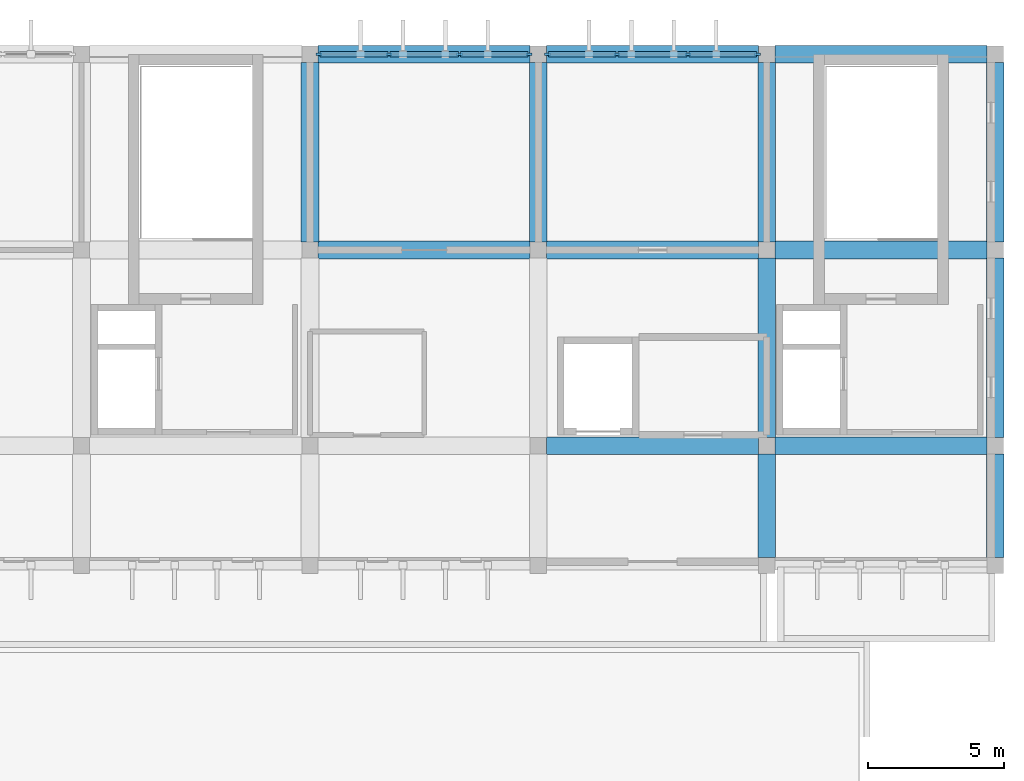
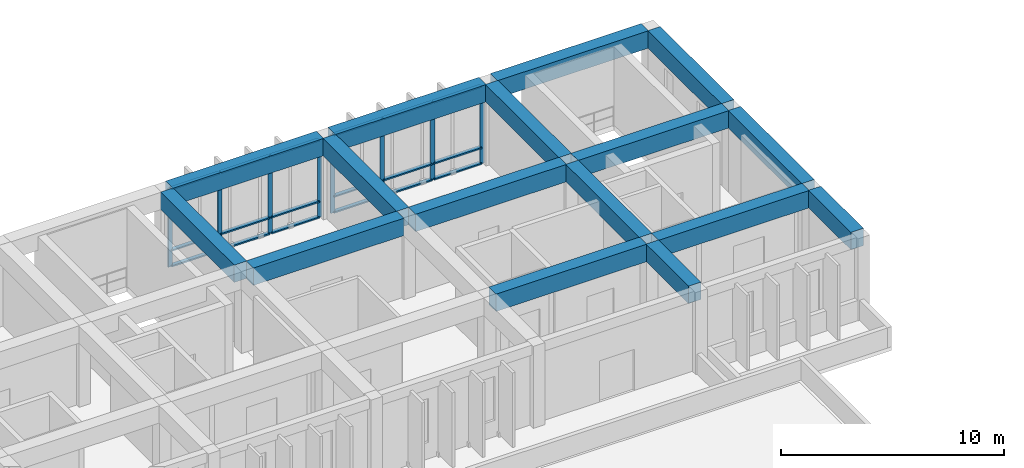
# One storey, part 9 of 16: 26 members, 16 beams, 2 elements without a shape of their own.
"""IFC4 building model written with IfcOpenShell, lengths in metres."""

from ifc_helpers import new_model, si_unit, direction, frame, origin, origin_2d, place, context, subcontext, project, spatial, rectangle, extrude, material, material_profile, profile_set, type_object, element, aggregate, save


model = new_model("IFC4")

# Units and contexts
model_context = context("Model", 3, precision=1e-05, world=origin(), true_north=direction((0.0, 1.0)))
body_context = subcontext(model_context, "Body", "Model", "MODEL_VIEW")
ifc_project = project(units=[si_unit("LENGTHUNIT", "METRE"), si_unit("AREAUNIT", "SQUARE_METRE"), si_unit("VOLUMEUNIT", "CUBIC_METRE"), si_unit("PLANEANGLEUNIT", "RADIAN"), si_unit("MASSUNIT", "GRAM", prefix="KILO")], contexts=[model_context])

# Site, building, storey
site_placement = place(None, origin())
site = spatial("IfcSite", under=ifc_project, at=site_placement, CompositionType="ELEMENT")
building_placement = place(site_placement, origin())
building = spatial("IfcBuilding", under=site, at=building_placement, Name="Kenerak Square Central Library", CompositionType="ELEMENT")
storey_placement = place(building_placement, frame((0.0, 0.0, 27.840087890625)))
storey = spatial("IfcBuildingStorey", under=building, at=storey_placement, Name="L06", CompositionType="ELEMENT", Elevation=27.840087890625)

# Beams
ifc_material_1 = material(Name="Concrete C45/55", Category="concrete")
ifc_material_profile_1 = material_profile(ifc_material_1, rectangle(XDim=0.64990234375, YDim=0.949951171875, at=origin_2d()), Name="RC 650x950")
ifc_profile_set_1 = profile_set([ifc_material_profile_1], Name="Concrete C45/55")
beam_type = type_object("IfcBeamType", Name="Book Stack Girder B-02 RC 650x950 C45/55", PredefinedType="BEAM", material=ifc_profile_set_1)
for number, where, z_axis, x_axis, name in (
    (1, (92.0, 103.5, 4.0048828125), (0.0, 1.0, 0.0), (-1.0, 0.0, 0.0), "Roof Girder B-02 L06 11-103"),
    (2, (100.39990234375, 103.5, 4.0048828125), (0.0, 1.0, 0.0), (-1.0, 0.0, 0.0), "Roof Girder B-02 L06 12-103"),
):
    element("IfcBeam", number, at=place(storey_placement, frame(where, z_axis=z_axis, x_axis=x_axis)), inside=storey, type_object=beam_type, Name=name, PredefinedType="BEAM", context=body_context, shape_type="SweptSolid", body=[
        extrude(rectangle(XDim=0.64990234375, YDim=0.949951171875, at=origin_2d()), origin(), (0.0, 0.0, 1.0), 6.60009765625),
    ])
beam_1_placement = place(storey_placement, frame((108.800048828125, 91.89990234375, 4.0048828125), z_axis=(0.0, 1.0, 0.0), x_axis=(-1.0, 0.0, 0.0)))
element("IfcBeam", 3, at=beam_1_placement, inside=storey, type_object=beam_type, Name="Roof Girder B-02 L06 13-92", PredefinedType="BEAM", context=body_context, shape_type="SweptSolid", body=[
    extrude(rectangle(XDim=0.64990234375, YDim=0.949951171875, at=origin_2d()), origin(), (0.0, 0.0, 1.0), 3.800048828125),
])
beam_2_placement = place(storey_placement, frame((108.800048828125, 96.300048828125, 4.0048828125), z_axis=(0.0, 1.0, 0.0), x_axis=(-1.0, 0.0, 0.0)))
element("IfcBeam", 4, at=beam_2_placement, inside=storey, type_object=beam_type, Name="Roof Girder B-02 L06 13-96", PredefinedType="BEAM", context=body_context, shape_type="SweptSolid", body=[
    extrude(rectangle(XDim=0.64990234375, YDim=0.949951171875, at=origin_2d()), origin(), (0.0, 0.0, 1.0), 6.599853515625),
])
beam_3_placement = place(storey_placement, frame((108.800048828125, 103.5, 4.0048828125), z_axis=(0.0, 1.0, 0.0), x_axis=(-1.0, 0.0, 0.0)))
element("IfcBeam", 5, at=beam_3_placement, inside=storey, type_object=beam_type, Name="Roof Girder B-02 L06 13-103", PredefinedType="BEAM", context=body_context, shape_type="SweptSolid", body=[
    extrude(rectangle(XDim=0.64990234375, YDim=0.949951171875, at=origin_2d()), origin(), (0.0, 0.0, 1.0), 6.60009765625),
])
beam_4_placement = place(storey_placement, frame((117.199951171875, 91.89990234375, 4.0048828125), z_axis=(0.0, 1.0, 0.0), x_axis=(-1.0, 0.0, 0.0)))
element("IfcBeam", 6, at=beam_4_placement, inside=storey, type_object=beam_type, Name="Roof Girder B-02 L06 14-92", PredefinedType="BEAM", context=body_context, shape_type="SweptSolid", body=[
    extrude(rectangle(XDim=0.64990234375, YDim=0.949951171875, at=origin_2d()), origin(), (0.0, 0.0, 1.0), 3.800048828125),
])
beam_5_placement = place(storey_placement, frame((117.199951171875, 96.300048828125, 4.0048828125), z_axis=(0.0, 1.0, 0.0), x_axis=(-1.0, 0.0, 0.0)))
element("IfcBeam", 7, at=beam_5_placement, inside=storey, type_object=beam_type, Name="Roof Girder B-02 L06 14-96", PredefinedType="BEAM", context=body_context, shape_type="SweptSolid", body=[
    extrude(rectangle(XDim=0.64990234375, YDim=0.949951171875, at=origin_2d()), origin(), (0.0, 0.0, 1.0), 6.599853515625),
])
beam_6_placement = place(storey_placement, frame((117.199951171875, 103.5, 4.0048828125), z_axis=(0.0, 1.0, 0.0), x_axis=(-1.0, 0.0, 0.0)))
element("IfcBeam", 8, at=beam_6_placement, inside=storey, type_object=beam_type, Name="Roof Girder B-02 L06 14-103", PredefinedType="BEAM", context=body_context, shape_type="SweptSolid", body=[
    extrude(rectangle(XDim=0.64990234375, YDim=0.949951171875, at=origin_2d()), origin(), (0.0, 0.0, 1.0), 6.60009765625),
])
beam_7_placement = place(storey_placement, frame((100.699951171875, 96.0, 4.0048828125), z_axis=(1.0, 0.0, 0.0), x_axis=(0.0, 1.0, 0.0)))
element("IfcBeam", 9, at=beam_7_placement, inside=storey, type_object=beam_type, Name="Roof Girder B-02 L06 EW-100-96", PredefinedType="BEAM", context=body_context, shape_type="SweptSolid", body=[
    extrude(rectangle(XDim=0.64990234375, YDim=0.949951171875, at=origin_2d()), origin(), (0.0, 0.0, 1.0), 7.800048828125),
])
beam_8_placement = place(storey_placement, frame((109.10009765625, 96.0, 4.0048828125), z_axis=(1.0, 0.0, 0.0), x_axis=(0.0, 1.0, 0.0)))
element("IfcBeam", 10, at=beam_8_placement, inside=storey, type_object=beam_type, Name="Roof Girder B-02 L06 EW-109-96", PredefinedType="BEAM", context=body_context, shape_type="SweptSolid", body=[
    extrude(rectangle(XDim=0.64990234375, YDim=0.949951171875, at=origin_2d()), origin(), (0.0, 0.0, 1.0), 7.7998046875),
])
for number, where, z_axis, x_axis, name in (
    (11, (92.300048828125, 103.199951171875, 4.0048828125), (1.0, 0.0, 0.0), (0.0, 1.0, 0.0), "Roof Girder B-02 L06 EW-92-103"),
    (12, (100.699951171875, 103.199951171875, 4.0048828125), (1.0, 0.0, 0.0), (0.0, 1.0, 0.0), "Roof Girder B-02 L06 EW-100-103"),
):
    element("IfcBeam", number, at=place(storey_placement, frame(where, z_axis=z_axis, x_axis=x_axis)), inside=storey, type_object=beam_type, Name=name, PredefinedType="BEAM", context=body_context, shape_type="SweptSolid", body=[
        extrude(rectangle(XDim=0.64990234375, YDim=0.949951171875, at=origin_2d()), origin(), (0.0, 0.0, 1.0), 7.800048828125),
    ])
beam_9_placement = place(storey_placement, frame((109.10009765625, 103.199951171875, 4.0048828125), z_axis=(1.0, 0.0, 0.0), x_axis=(0.0, 1.0, 0.0)))
element("IfcBeam", 13, at=beam_9_placement, inside=storey, type_object=beam_type, Name="Roof Girder B-02 L06 EW-109-103", PredefinedType="BEAM", context=body_context, shape_type="SweptSolid", body=[
    extrude(rectangle(XDim=0.64990234375, YDim=0.949951171875, at=origin_2d()), origin(), (0.0, 0.0, 1.0), 7.7998046875),
])
for number, where, z_axis, x_axis, name in (
    (14, (92.300048828125, 110.39990234375, 4.0048828125), (1.0, 0.0, 0.0), (0.0, 1.0, 0.0), "Roof Girder B-02 L06 EW-92-110"),
    (15, (100.699951171875, 110.39990234375, 4.0048828125), (1.0, 0.0, 0.0), (0.0, 1.0, 0.0), "Roof Girder B-02 L06 EW-100-110"),
):
    element("IfcBeam", number, at=place(storey_placement, frame(where, z_axis=z_axis, x_axis=x_axis)), inside=storey, type_object=beam_type, Name=name, PredefinedType="BEAM", context=body_context, shape_type="SweptSolid", body=[
        extrude(rectangle(XDim=0.64990234375, YDim=0.949951171875, at=origin_2d()), origin(), (0.0, 0.0, 1.0), 7.800048828125),
    ])
beam_10_placement = place(storey_placement, frame((109.10009765625, 110.39990234375, 4.0048828125), z_axis=(1.0, 0.0, 0.0), x_axis=(0.0, 1.0, 0.0)))
element("IfcBeam", 16, at=beam_10_placement, inside=storey, type_object=beam_type, Name="Roof Girder B-02 L06 EW-109-110", PredefinedType="BEAM", context=body_context, shape_type="SweptSolid", body=[
    extrude(rectangle(XDim=0.64990234375, YDim=0.949951171875, at=origin_2d()), origin(), (0.0, 0.0, 1.0), 7.7998046875),
])

# Curtain wall, members
ifc_material_2 = material(Name="Anodised aluminium and solar-control low-E glazing", Category="aluminium")
curtain_wall_type = type_object("IfcCurtainWallType", Name="Curtain Wall CW-V5-78x42 7800x4280", PredefinedType="USERDEFINED", material=ifc_material_2)
curtain_wall_1_placement = place(storey_placement, origin())
curtain_wall_1 = element("IfcCurtainWall", 17, at=curtain_wall_1_placement, inside=storey, type_object=curtain_wall_type, Name="Curtain Wall CW-V5-78x42 L06 0165", ObjectType="CURTAIN WALL", PredefinedType="USERDEFINED")
ifc_material_3 = material(Name="Anodised aluminium 6063-T6", Category="aluminium")
ifc_material_profile_2 = material_profile(ifc_material_3, rectangle(XDim=0.074951171875, YDim=0.219970703125, at=origin_2d()), Name="AL MULLION 75x220")
ifc_profile_set_2 = profile_set([ifc_material_profile_2], Name="Anodised aluminium 6063-T6")
member_type_1 = type_object("IfcMemberType", Name="Curtain Mullion CM-02 75x220", PredefinedType="MULLION", material=ifc_profile_set_2)
member_1_placement = place(storey_placement, frame((92.33740234375, 110.39990234375, 0.0), z_axis=(0.0, 0.0, 1.0), x_axis=(0.0, 1.0, 0.0)))
member_1 = element("IfcMember", 18, at=member_1_placement, type_object=member_type_1, Name="CW-V5-78x42 Mullion 1", PredefinedType="MULLION", context=body_context, shape_type="SweptSolid", body=[
    extrude(rectangle(XDim=0.074951171875, YDim=0.219970703125, at=origin_2d()), origin(), (0.0, 0.0, 1.0), 4.280029296875),
])
member_2_placement = place(storey_placement, frame((94.89990234375, 110.39990234375, 0.0), z_axis=(0.0, 0.0, 1.0), x_axis=(0.0, 1.0, 0.0)))
member_2 = element("IfcMember", 19, at=member_2_placement, type_object=member_type_1, Name="CW-V5-78x42 Mullion 2", PredefinedType="MULLION", context=body_context, shape_type="SweptSolid", body=[
    extrude(rectangle(XDim=0.074951171875, YDim=0.219970703125, at=origin_2d()), origin(), (0.0, 0.0, 1.0), 4.280029296875),
])
member_3_placement = place(storey_placement, frame((97.5, 110.39990234375, 0.0), z_axis=(0.0, 0.0, 1.0), x_axis=(0.0, 1.0, 0.0)))
member_3 = element("IfcMember", 20, at=member_3_placement, type_object=member_type_1, Name="CW-V5-78x42 Mullion 3", PredefinedType="MULLION", context=body_context, shape_type="SweptSolid", body=[
    extrude(rectangle(XDim=0.074951171875, YDim=0.219970703125, at=origin_2d()), origin(), (0.0, 0.0, 1.0), 4.280029296875),
])
member_4_placement = place(storey_placement, frame((100.0625, 110.39990234375, 0.0), z_axis=(0.0, 0.0, 1.0), x_axis=(0.0, 1.0, 0.0)))
member_4 = element("IfcMember", 21, at=member_4_placement, type_object=member_type_1, Name="CW-V5-78x42 Mullion 4", PredefinedType="MULLION", context=body_context, shape_type="SweptSolid", body=[
    extrude(rectangle(XDim=0.074951171875, YDim=0.219970703125, at=origin_2d()), origin(), (0.0, 0.0, 1.0), 4.280029296875),
])

curtain_wall_2_placement = place(storey_placement, origin())
curtain_wall_2 = element("IfcCurtainWall", 22, at=curtain_wall_2_placement, inside=storey, type_object=curtain_wall_type, Name="Curtain Wall CW-V5-78x42 L06 0166", ObjectType="CURTAIN WALL", PredefinedType="USERDEFINED")
member_5_placement = place(storey_placement, frame((100.737548828125, 110.39990234375, 0.0), z_axis=(0.0, 0.0, 1.0), x_axis=(0.0, 1.0, 0.0)))
member_5 = element("IfcMember", 23, at=member_5_placement, type_object=member_type_1, Name="CW-V5-78x42 Mullion 1", PredefinedType="MULLION", context=body_context, shape_type="SweptSolid", body=[
    extrude(rectangle(XDim=0.074951171875, YDim=0.219970703125, at=origin_2d()), origin(), (0.0, 0.0, 1.0), 4.280029296875),
])
member_6_placement = place(storey_placement, frame((103.300048828125, 110.39990234375, 0.0), z_axis=(0.0, 0.0, 1.0), x_axis=(0.0, 1.0, 0.0)))
member_6 = element("IfcMember", 24, at=member_6_placement, type_object=member_type_1, Name="CW-V5-78x42 Mullion 2", PredefinedType="MULLION", context=body_context, shape_type="SweptSolid", body=[
    extrude(rectangle(XDim=0.074951171875, YDim=0.219970703125, at=origin_2d()), origin(), (0.0, 0.0, 1.0), 4.280029296875),
])
member_7_placement = place(storey_placement, frame((105.89990234375, 110.39990234375, 0.0), z_axis=(0.0, 0.0, 1.0), x_axis=(0.0, 1.0, 0.0)))
member_7 = element("IfcMember", 25, at=member_7_placement, type_object=member_type_1, Name="CW-V5-78x42 Mullion 3", PredefinedType="MULLION", context=body_context, shape_type="SweptSolid", body=[
    extrude(rectangle(XDim=0.074951171875, YDim=0.219970703125, at=origin_2d()), origin(), (0.0, 0.0, 1.0), 4.280029296875),
])
member_8_placement = place(storey_placement, frame((108.46240234375, 110.39990234375, 0.0), z_axis=(0.0, 0.0, 1.0), x_axis=(0.0, 1.0, 0.0)))
member_8 = element("IfcMember", 26, at=member_8_placement, type_object=member_type_1, Name="CW-V5-78x42 Mullion 4", PredefinedType="MULLION", context=body_context, shape_type="SweptSolid", body=[
    extrude(rectangle(XDim=0.074951171875, YDim=0.219970703125, at=origin_2d()), origin(), (0.0, 0.0, 1.0), 4.280029296875),
])

# Member
ifc_material_profile_3 = material_profile(ifc_material_3, rectangle(XDim=0.199951171875, YDim=0.074951171875, at=origin_2d()), Name="AL TRANSOM 200x75")
ifc_profile_set_3 = profile_set([ifc_material_profile_3], Name="Anodised aluminium 6063-T6")
member_type_2 = type_object("IfcMemberType", Name="Curtain Transom CT-12 200x75", PredefinedType="USERDEFINED", material=ifc_profile_set_3)
member_9_placement = place(storey_placement, frame((92.375, 110.39990234375, 0.037353515625), z_axis=(1.0, 0.0, 0.0), x_axis=(0.0, 1.0, 0.0)))
member_9 = element("IfcMember", 27, at=member_9_placement, type_object=member_type_2, Name="CW-V5-78x42 Transom 1.1", ObjectType="TRANSOM", PredefinedType="USERDEFINED", context=body_context, shape_type="SweptSolid", body=[
    extrude(rectangle(XDim=0.199951171875, YDim=0.074951171875, at=origin_2d()), origin(), (0.0, 0.0, 1.0), 2.487548828125),
])

member_10_placement = place(storey_placement, frame((92.375, 110.39990234375, 0.89990234375), z_axis=(1.0, 0.0, 0.0), x_axis=(0.0, 1.0, 0.0)))
member_10 = element("IfcMember", 28, at=member_10_placement, type_object=member_type_2, Name="CW-V5-78x42 Transom 1.2", ObjectType="TRANSOM", PredefinedType="USERDEFINED", context=body_context, shape_type="SweptSolid", body=[
    extrude(rectangle(XDim=0.199951171875, YDim=0.074951171875, at=origin_2d()), origin(), (0.0, 0.0, 1.0), 2.487548828125),
])

member_11_placement = place(storey_placement, frame((92.375, 110.39990234375, 4.242431640625), z_axis=(1.0, 0.0, 0.0), x_axis=(0.0, 1.0, 0.0)))
member_11 = element("IfcMember", 29, at=member_11_placement, type_object=member_type_2, Name="CW-V5-78x42 Transom 1.3", ObjectType="TRANSOM", PredefinedType="USERDEFINED", context=body_context, shape_type="SweptSolid", body=[
    extrude(rectangle(XDim=0.199951171875, YDim=0.074951171875, at=origin_2d()), origin(), (0.0, 0.0, 1.0), 2.487548828125),
])

member_12_placement = place(storey_placement, frame((94.9375, 110.39990234375, 0.037353515625), z_axis=(1.0, 0.0, 0.0), x_axis=(0.0, 1.0, 0.0)))
member_12 = element("IfcMember", 30, at=member_12_placement, type_object=member_type_2, Name="CW-V5-78x42 Transom 2.1", ObjectType="TRANSOM", PredefinedType="USERDEFINED", context=body_context, shape_type="SweptSolid", body=[
    extrude(rectangle(XDim=0.199951171875, YDim=0.074951171875, at=origin_2d()), origin(), (0.0, 0.0, 1.0), 2.52490234375),
])

member_13_placement = place(storey_placement, frame((94.9375, 110.39990234375, 0.89990234375), z_axis=(1.0, 0.0, 0.0), x_axis=(0.0, 1.0, 0.0)))
member_13 = element("IfcMember", 31, at=member_13_placement, type_object=member_type_2, Name="CW-V5-78x42 Transom 2.2", ObjectType="TRANSOM", PredefinedType="USERDEFINED", context=body_context, shape_type="SweptSolid", body=[
    extrude(rectangle(XDim=0.199951171875, YDim=0.074951171875, at=origin_2d()), origin(), (0.0, 0.0, 1.0), 2.52490234375),
])

member_14_placement = place(storey_placement, frame((94.9375, 110.39990234375, 4.242431640625), z_axis=(1.0, 0.0, 0.0), x_axis=(0.0, 1.0, 0.0)))
member_14 = element("IfcMember", 32, at=member_14_placement, type_object=member_type_2, Name="CW-V5-78x42 Transom 2.3", ObjectType="TRANSOM", PredefinedType="USERDEFINED", context=body_context, shape_type="SweptSolid", body=[
    extrude(rectangle(XDim=0.199951171875, YDim=0.074951171875, at=origin_2d()), origin(), (0.0, 0.0, 1.0), 2.52490234375),
])

member_15_placement = place(storey_placement, frame((97.53759765625, 110.39990234375, 0.037353515625), z_axis=(1.0, 0.0, 0.0), x_axis=(0.0, 1.0, 0.0)))
member_15 = element("IfcMember", 33, at=member_15_placement, type_object=member_type_2, Name="CW-V5-78x42 Transom 3.1", ObjectType="TRANSOM", PredefinedType="USERDEFINED", context=body_context, shape_type="SweptSolid", body=[
    extrude(rectangle(XDim=0.199951171875, YDim=0.074951171875, at=origin_2d()), origin(), (0.0, 0.0, 1.0), 2.4873046875),
])

member_16_placement = place(storey_placement, frame((97.53759765625, 110.39990234375, 0.89990234375), z_axis=(1.0, 0.0, 0.0), x_axis=(0.0, 1.0, 0.0)))
member_16 = element("IfcMember", 34, at=member_16_placement, type_object=member_type_2, Name="CW-V5-78x42 Transom 3.2", ObjectType="TRANSOM", PredefinedType="USERDEFINED", context=body_context, shape_type="SweptSolid", body=[
    extrude(rectangle(XDim=0.199951171875, YDim=0.074951171875, at=origin_2d()), origin(), (0.0, 0.0, 1.0), 2.4873046875),
])

member_17_placement = place(storey_placement, frame((97.53759765625, 110.39990234375, 4.242431640625), z_axis=(1.0, 0.0, 0.0), x_axis=(0.0, 1.0, 0.0)))
member_17 = element("IfcMember", 35, at=member_17_placement, type_object=member_type_2, Name="CW-V5-78x42 Transom 3.3", ObjectType="TRANSOM", PredefinedType="USERDEFINED", context=body_context, shape_type="SweptSolid", body=[
    extrude(rectangle(XDim=0.199951171875, YDim=0.074951171875, at=origin_2d()), origin(), (0.0, 0.0, 1.0), 2.4873046875),
])

aggregate(curtain_wall_1, [member_1, member_2, member_3, member_4, member_9, member_10, member_11, member_12, member_13, member_14, member_15, member_16, member_17])

member_18_placement = place(storey_placement, frame((100.77490234375, 110.39990234375, 0.037353515625), z_axis=(1.0, 0.0, 0.0), x_axis=(0.0, 1.0, 0.0)))
member_18 = element("IfcMember", 36, at=member_18_placement, type_object=member_type_2, Name="CW-V5-78x42 Transom 1.1", ObjectType="TRANSOM", PredefinedType="USERDEFINED", context=body_context, shape_type="SweptSolid", body=[
    extrude(rectangle(XDim=0.199951171875, YDim=0.074951171875, at=origin_2d()), origin(), (0.0, 0.0, 1.0), 2.487548828125),
])

member_19_placement = place(storey_placement, frame((100.77490234375, 110.39990234375, 0.89990234375), z_axis=(1.0, 0.0, 0.0), x_axis=(0.0, 1.0, 0.0)))
member_19 = element("IfcMember", 37, at=member_19_placement, type_object=member_type_2, Name="CW-V5-78x42 Transom 1.2", ObjectType="TRANSOM", PredefinedType="USERDEFINED", context=body_context, shape_type="SweptSolid", body=[
    extrude(rectangle(XDim=0.199951171875, YDim=0.074951171875, at=origin_2d()), origin(), (0.0, 0.0, 1.0), 2.487548828125),
])

member_20_placement = place(storey_placement, frame((100.77490234375, 110.39990234375, 4.242431640625), z_axis=(1.0, 0.0, 0.0), x_axis=(0.0, 1.0, 0.0)))
member_20 = element("IfcMember", 38, at=member_20_placement, type_object=member_type_2, Name="CW-V5-78x42 Transom 1.3", ObjectType="TRANSOM", PredefinedType="USERDEFINED", context=body_context, shape_type="SweptSolid", body=[
    extrude(rectangle(XDim=0.199951171875, YDim=0.074951171875, at=origin_2d()), origin(), (0.0, 0.0, 1.0), 2.487548828125),
])

member_21_placement = place(storey_placement, frame((103.33740234375, 110.39990234375, 0.037353515625), z_axis=(1.0, 0.0, 0.0), x_axis=(0.0, 1.0, 0.0)))
member_21 = element("IfcMember", 39, at=member_21_placement, type_object=member_type_2, Name="CW-V5-78x42 Transom 2.1", ObjectType="TRANSOM", PredefinedType="USERDEFINED", context=body_context, shape_type="SweptSolid", body=[
    extrude(rectangle(XDim=0.199951171875, YDim=0.074951171875, at=origin_2d()), origin(), (0.0, 0.0, 1.0), 2.525146484375),
])

member_22_placement = place(storey_placement, frame((103.33740234375, 110.39990234375, 0.89990234375), z_axis=(1.0, 0.0, 0.0), x_axis=(0.0, 1.0, 0.0)))
member_22 = element("IfcMember", 40, at=member_22_placement, type_object=member_type_2, Name="CW-V5-78x42 Transom 2.2", ObjectType="TRANSOM", PredefinedType="USERDEFINED", context=body_context, shape_type="SweptSolid", body=[
    extrude(rectangle(XDim=0.199951171875, YDim=0.074951171875, at=origin_2d()), origin(), (0.0, 0.0, 1.0), 2.525146484375),
])

member_23_placement = place(storey_placement, frame((103.33740234375, 110.39990234375, 4.242431640625), z_axis=(1.0, 0.0, 0.0), x_axis=(0.0, 1.0, 0.0)))
member_23 = element("IfcMember", 41, at=member_23_placement, type_object=member_type_2, Name="CW-V5-78x42 Transom 2.3", ObjectType="TRANSOM", PredefinedType="USERDEFINED", context=body_context, shape_type="SweptSolid", body=[
    extrude(rectangle(XDim=0.199951171875, YDim=0.074951171875, at=origin_2d()), origin(), (0.0, 0.0, 1.0), 2.525146484375),
])

member_24_placement = place(storey_placement, frame((105.9375, 110.39990234375, 0.037353515625), z_axis=(1.0, 0.0, 0.0), x_axis=(0.0, 1.0, 0.0)))
member_24 = element("IfcMember", 42, at=member_24_placement, type_object=member_type_2, Name="CW-V5-78x42 Transom 3.1", ObjectType="TRANSOM", PredefinedType="USERDEFINED", context=body_context, shape_type="SweptSolid", body=[
    extrude(rectangle(XDim=0.199951171875, YDim=0.074951171875, at=origin_2d()), origin(), (0.0, 0.0, 1.0), 2.487548828125),
])

member_25_placement = place(storey_placement, frame((105.9375, 110.39990234375, 0.89990234375), z_axis=(1.0, 0.0, 0.0), x_axis=(0.0, 1.0, 0.0)))
member_25 = element("IfcMember", 43, at=member_25_placement, type_object=member_type_2, Name="CW-V5-78x42 Transom 3.2", ObjectType="TRANSOM", PredefinedType="USERDEFINED", context=body_context, shape_type="SweptSolid", body=[
    extrude(rectangle(XDim=0.199951171875, YDim=0.074951171875, at=origin_2d()), origin(), (0.0, 0.0, 1.0), 2.487548828125),
])

member_26_placement = place(storey_placement, frame((105.9375, 110.39990234375, 4.242431640625), z_axis=(1.0, 0.0, 0.0), x_axis=(0.0, 1.0, 0.0)))
member_26 = element("IfcMember", 44, at=member_26_placement, type_object=member_type_2, Name="CW-V5-78x42 Transom 3.3", ObjectType="TRANSOM", PredefinedType="USERDEFINED", context=body_context, shape_type="SweptSolid", body=[
    extrude(rectangle(XDim=0.199951171875, YDim=0.074951171875, at=origin_2d()), origin(), (0.0, 0.0, 1.0), 2.487548828125),
])

aggregate(curtain_wall_2, [member_5, member_6, member_7, member_8, member_18, member_19, member_20, member_21, member_22, member_23, member_24, member_25, member_26])

save(model, "model.ifc")
